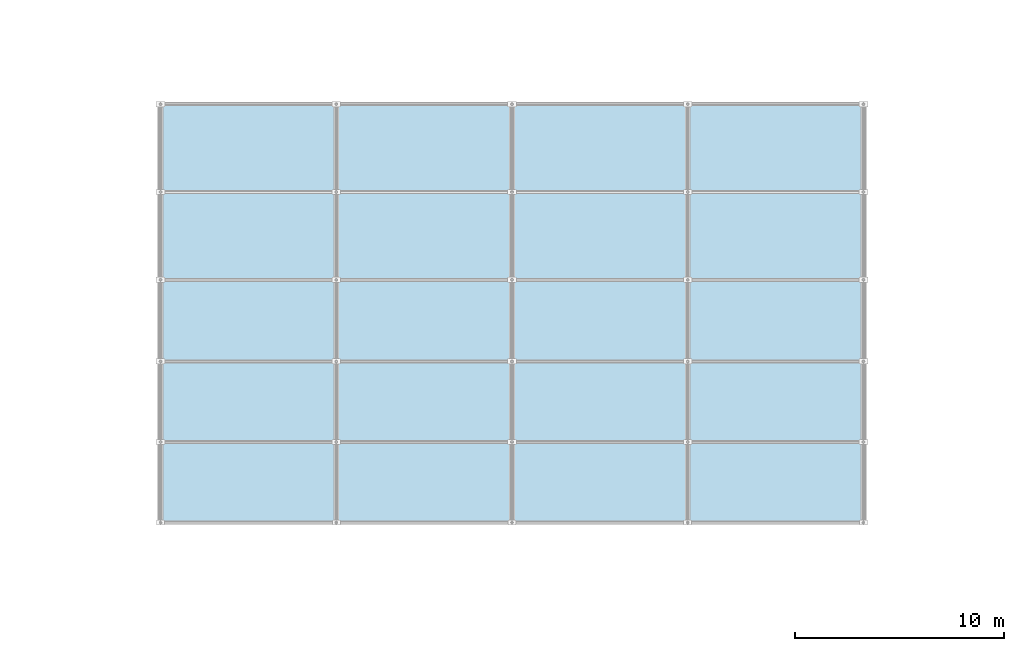
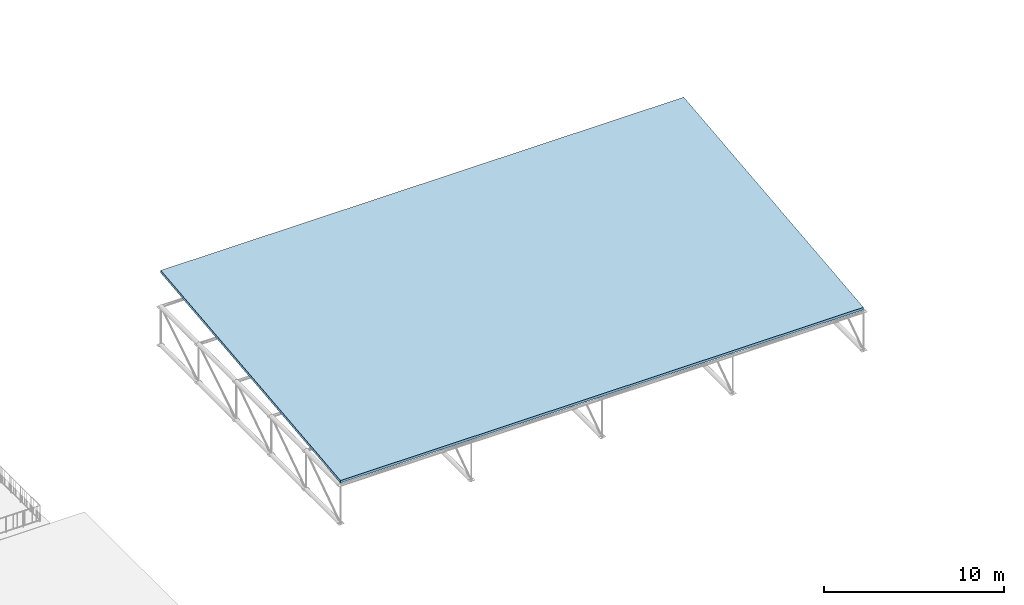
# One storey, part 72 of 140: 1 slab.
"""IFC4 building model written with IfcOpenShell, lengths in metres."""

from ifc_helpers import new_model, si_unit, direction, frame, origin, place, context, subcontext, project, spatial, polyline, outline, extrude, material, layer, layer_set, type_object, element, save


model = new_model("IFC4")

# Units and contexts
model_context = context("Model", 3, precision=1e-05, world=origin(), true_north=direction((0.0, 1.0)))
body_context = subcontext(model_context, "Body", "Model", "MODEL_VIEW")
ifc_project = project(units=[si_unit("LENGTHUNIT", "METRE"), si_unit("AREAUNIT", "SQUARE_METRE"), si_unit("VOLUMEUNIT", "CUBIC_METRE"), si_unit("PLANEANGLEUNIT", "RADIAN"), si_unit("MASSUNIT", "GRAM", prefix="KILO")], contexts=[model_context])

# Site, building, storey
site_placement = place(None, origin())
site = spatial("IfcSite", under=ifc_project, at=site_placement, CompositionType="ELEMENT")
building_placement = place(site_placement, origin())
building = spatial("IfcBuilding", under=site, at=building_placement, Name="Varnapada Polytechnic", CompositionType="ELEMENT")
storey_placement = place(building_placement, frame((0.0, 0.0, 13.800048828125)))
storey = spatial("IfcBuildingStorey", under=building, at=storey_placement, Name="L03", CompositionType="ELEMENT", Elevation=13.800048828125)

# Slab
ifc_material = material(Name="Steel S355", Category="steel")
ifc_layer = layer(ifc_material, 0.179931640625)
ifc_layer_set = layer_set([ifc_layer], Name="Steel S355")
slab_type = type_object("IfcSlabType", Name="Vaulted space frame insulated standing-seam roof deck RS-01", PredefinedType="ROOF", material=ifc_layer_set)
slab_placement = place(storey_placement, frame((75.60009765625, 5.199951171875, -1.045166015625), z_axis=(0.0, -0.106891382905, 0.994270703712), x_axis=(1.0, 0.0, 0.0)))
element("IfcSlab", 1, at=slab_placement, inside=storey, type_object=slab_type, Name="South forecourt space frame canopy roof slab", PredefinedType="ROOF", context=body_context, shape_type="SweptSolid", body=[
    extrude(outline(polyline([(0.0, 0.0), (33.599853515625, 0.0), (33.599853515625, 20.11524620541022), (0.0, 20.11524620541022), (0.0, 0.0)])), origin(), (0.0, 0.0, -1.0), 0.179931640625),
])

save(model, "model.ifc")
